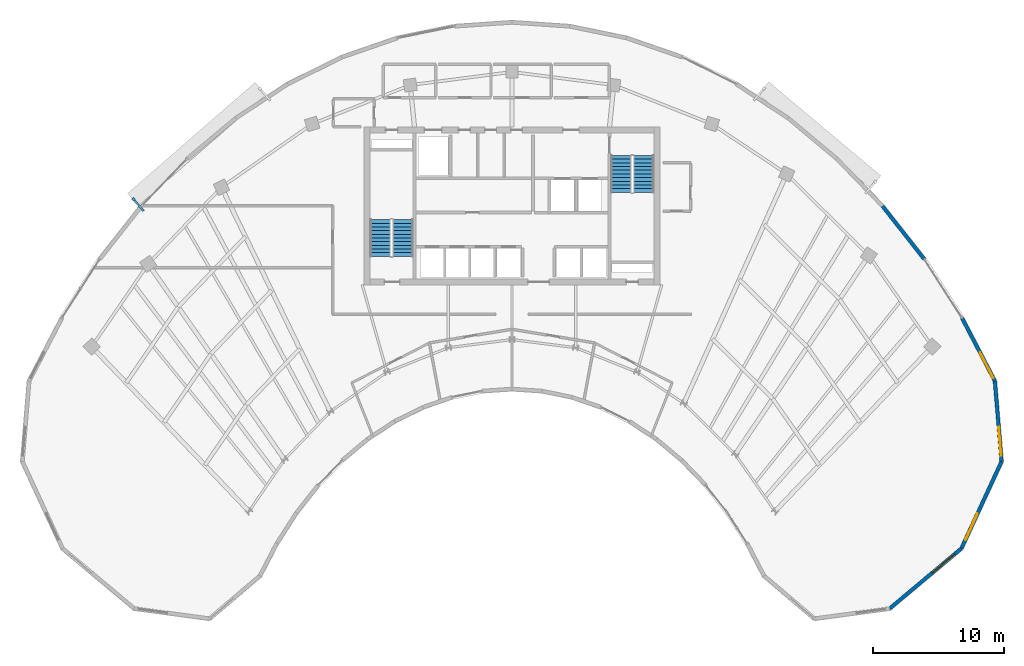
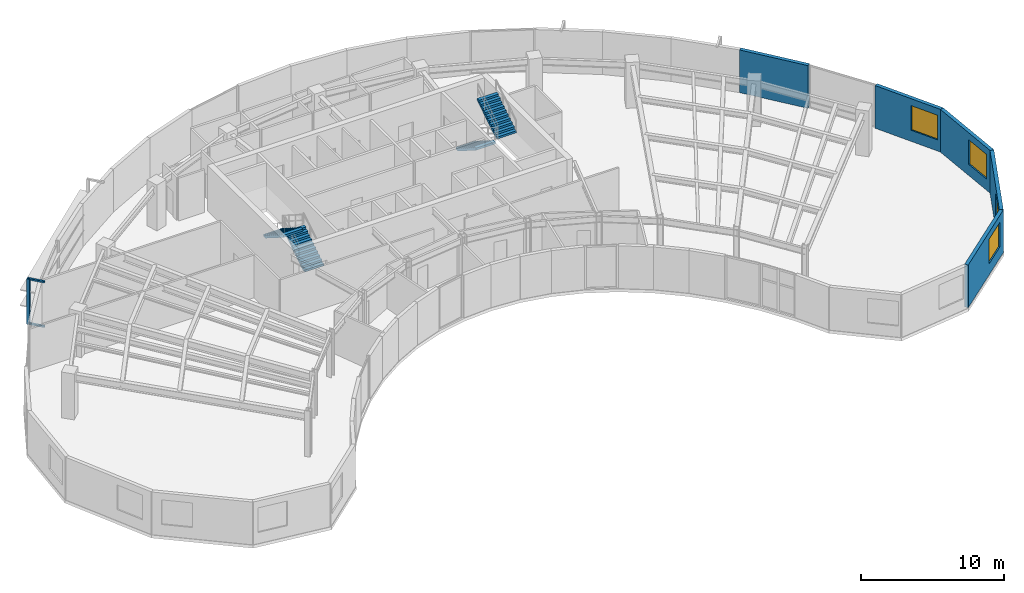
# One storey, part 11 of 14: 5 walls, 4 stair flights, 4 windows, 3 discrete accessories, 4 openings, 2 elements without a shape of their own.
"""IFC4 building model written with IfcOpenShell, lengths in metres."""

from ifc_helpers import new_model, si_unit, direction, frame, frame_2d, origin, origin_2d, place, context, subcontext, project, spatial, polyline, rectangle, outline, extrude, source, transform, mapped, material, layer, layer_set, type_object, type_shapes, element, fill, aggregate, save


model = new_model("IFC4")

# Units and contexts
model_context = context("Model", 3, precision=1e-05, world=origin(), true_north=direction((0.0, 1.0)))
body_context = subcontext(model_context, "Body", "Model", "MODEL_VIEW")
ifc_project = project(units=[si_unit("LENGTHUNIT", "METRE"), si_unit("AREAUNIT", "SQUARE_METRE"), si_unit("VOLUMEUNIT", "CUBIC_METRE"), si_unit("PLANEANGLEUNIT", "RADIAN"), si_unit("MASSUNIT", "GRAM", prefix="KILO")], contexts=[model_context])

# Site, building, storey
site_placement = place(None, origin())
site = spatial("IfcSite", under=ifc_project, at=site_placement, CompositionType="ELEMENT")
building_placement = place(site_placement, origin())
building = spatial("IfcBuilding", under=site, at=building_placement, Name="Breltana Convention Tower", CompositionType="ELEMENT")
storey_placement = place(building_placement, frame((0.0, 0.0, 211.800048828125)))
storey = spatial("IfcBuildingStorey", under=building, at=storey_placement, Name="L51", CompositionType="ELEMENT", Elevation=211.800048828125)

# Wall, opening, window
ifc_material_1 = material(Name="Limestone Buff Insulated Wall", Category="masonry")
ifc_layer = layer(ifc_material_1, 0.280029296875, Name="Limestone Buff Insulated Wall")
ifc_layer_set = layer_set([ifc_layer], Name="Limestone Buff Insulated Wall")
wall_type = type_object("IfcWallType", Name="WL-EXT-NOSE-280", PredefinedType="SOLIDWALL", material=ifc_layer_set)
shared_shape_1 = source(origin(), body_context, "Body", "SweptSolid", [
    extrude(rectangle(XDim=6.145751953125, YDim=0.280029296875, at=frame_2d((3.07275390625, 0.0))), origin(), (0.0, 0.0, 1.0), 3.639892578125),
])
wall_1_placement = place(storey_placement, frame((84.756103515625, 52.87353515625, 0.0), z_axis=(0.0, 0.0, 1.0), x_axis=(0.083301904456, -0.996524356307, 0.0)))
wall_1 = element("IfcWall", 1, at=wall_1_placement, inside=storey, type_object=wall_type, Name="L51 curved limestone nose wall E1", PredefinedType="SOLIDWALL", context=body_context, shape_type="MappedRepresentation", body=[
    mapped(shared_shape_1, transform((0.0, 0.0, 0.0), scale=1.0)),
])
opening_1_placement = place(wall_1_placement, frame((3.50927734375, 0.0, 0.949951171875)))
opening_1 = element("IfcOpeningElement", 2, at=opening_1_placement, cuts=wall_1, Name="Opening W-03", PredefinedType="OPENING", context=body_context, shape_type="SweptSolid", body=[
    extrude(rectangle(XDim=2.199951171875, YDim=2.10009765625, at=frame_2d((1.10009765625, 1.050048828125))), frame((0.0, 0.14990234375, 0.0), z_axis=(0.0, -1.0, 0.0), x_axis=(1.0, 0.0, 0.0)), (0.0, 0.0, 1.0), 0.300048828125),
])
ifc_material_2 = material(Name="Glass Low-E Insulated Window", Category="glass")
window_type = type_object("IfcWindowType", Name="WN-NOSE-2200X2100", PartitioningType="TRIPLE_PANEL_VERTICAL", PredefinedType="WINDOW", material=ifc_material_2)
shared_shape_2 = source(origin(), body_context, "Body", "SweptSolid", [
    extrude(rectangle(XDim=2.199951171875, YDim=2.10009765625, at=frame_2d((1.10009765625, 1.050048828125))), frame((0.0, 0.030029296875, 0.0), z_axis=(0.0, -1.0, 0.0), x_axis=(1.0, 0.0, 0.0)), (0.0, 0.0, 1.0), 0.06005859375),
])
type_shapes(window_type, [shared_shape_2])
window_1_placement = place(opening_1_placement, origin())
window_1 = element("IfcWindow", 3, at=window_1_placement, inside=storey, type_object=window_type, Name="L51 nose window E1", OverallHeight=2.10009765625, OverallWidth=2.199951171875, PartitioningType="TRIPLE_PANEL_VERTICAL", PredefinedType="WINDOW", context=body_context, shape_type="MappedRepresentation", body=[
    mapped(shared_shape_2, transform((0.0, 0.0, 0.0), scale=1.0)),
])
fill(opening_1, window_1)

shared_shape_3 = source(origin(), body_context, "Body", "SweptSolid", [
    extrude(rectangle(XDim=7.29150390625, YDim=0.280029296875, at=frame_2d((3.645751953125, 0.0))), origin(), (0.0, 0.0, 1.0), 3.639892578125),
])
wall_2_placement = place(storey_placement, frame((85.26806640625, 46.7490234375, 0.0), z_axis=(0.0, 0.0, 1.0), x_axis=(-0.419642001049, -0.907689699708, 0.0)))
wall_2 = element("IfcWall", 4, at=wall_2_placement, inside=storey, type_object=wall_type, Name="L51 curved limestone nose wall E2", PredefinedType="SOLIDWALL", context=body_context, shape_type="MappedRepresentation", body=[
    mapped(shared_shape_3, transform((0.0, 0.0, 0.0), scale=1.0)),
])
opening_2_placement = place(wall_2_placement, frame((4.36865234375, 0.0, 0.949951171875)))
opening_2 = element("IfcOpeningElement", 5, at=opening_2_placement, cuts=wall_2, Name="Opening W-03", PredefinedType="OPENING", context=body_context, shape_type="SweptSolid", body=[
    extrude(rectangle(XDim=2.199951171875, YDim=2.10009765625, at=frame_2d((1.10009765625, 1.050048828125))), frame((0.0, 0.14990234375, 0.0), z_axis=(0.0, -1.0, 0.0), x_axis=(1.0, 0.0, 0.0)), (0.0, 0.0, 1.0), 0.300048828125),
])
window_2_placement = place(opening_2_placement, origin())
window_2 = element("IfcWindow", 6, at=window_2_placement, inside=storey, type_object=window_type, Name="L51 nose window E2", OverallHeight=2.10009765625, OverallWidth=2.199951171875, PartitioningType="TRIPLE_PANEL_VERTICAL", PredefinedType="WINDOW", context=body_context, shape_type="MappedRepresentation", body=[
    mapped(shared_shape_2, transform((0.0, 0.0, 0.0), scale=1.0)),
])
fill(opening_2, window_2)

shared_shape_4 = source(origin(), body_context, "Body", "SweptSolid", [
    extrude(rectangle(XDim=7.11962890625, YDim=0.280029296875, at=frame_2d((3.559814453125, 0.0))), origin(), (0.0, 0.0, 1.0), 3.639892578125),
])
wall_3_placement = place(storey_placement, frame((82.208251953125, 40.130615234375, 0.0), z_axis=(0.0, 0.0, 1.0), x_axis=(-0.766709783564, -0.641993853387, 0.0)))
wall_3 = element("IfcWall", 7, at=wall_3_placement, inside=storey, type_object=wall_type, Name="L51 curved limestone nose wall E3", PredefinedType="SOLIDWALL", context=body_context, shape_type="MappedRepresentation", body=[
    mapped(shared_shape_4, transform((0.0, 0.0, 0.0), scale=1.0)),
])
opening_3_placement = place(wall_3_placement, frame((0.679931640625, 0.0, 0.949951171875)))
opening_3 = element("IfcOpeningElement", 8, at=opening_3_placement, cuts=wall_3, Name="Opening W-03", PredefinedType="OPENING", context=body_context, shape_type="SweptSolid", body=[
    extrude(rectangle(XDim=2.199951171875, YDim=2.10009765625, at=frame_2d((1.10009765625, 1.050048828125))), frame((0.0, 0.14990234375, 0.0), z_axis=(0.0, -1.0, 0.0), x_axis=(1.0, 0.0, 0.0)), (0.0, 0.0, 1.0), 0.300048828125),
])
window_3_placement = place(opening_3_placement, origin())
window_3 = element("IfcWindow", 9, at=window_3_placement, inside=storey, type_object=window_type, Name="L51 nose window E3", OverallHeight=2.10009765625, OverallWidth=2.199951171875, PartitioningType="TRIPLE_PANEL_VERTICAL", PredefinedType="WINDOW", context=body_context, shape_type="MappedRepresentation", body=[
    mapped(shared_shape_2, transform((0.0, 0.0, 0.0), scale=1.0)),
])
fill(opening_3, window_3)

shared_shape_5 = source(origin(), body_context, "Body", "SweptSolid", [
    extrude(rectangle(XDim=5.41552734375, YDim=0.280029296875, at=frame_2d((2.707763671875, 0.0))), origin(), (0.0, 0.0, 1.0), 3.639892578125),
])
wall_4_placement = place(storey_placement, frame((82.25537109375, 57.677001953125, 0.0), z_axis=(0.0, 0.0, 1.0), x_axis=(0.46177852435, -0.886995261796, 0.0)))
wall_4 = element("IfcWall", 10, at=wall_4_placement, inside=storey, type_object=wall_type, Name="L51 curved limestone nose wall E33", PredefinedType="SOLIDWALL", context=body_context, shape_type="MappedRepresentation", body=[
    mapped(shared_shape_5, transform((0.0, 0.0, 0.0), scale=1.0)),
])
opening_4_placement = place(wall_4_placement, frame((2.961669921875, 0.0, 0.949951171875)))
opening_4 = element("IfcOpeningElement", 11, at=opening_4_placement, cuts=wall_4, Name="Opening W-03", PredefinedType="OPENING", context=body_context, shape_type="SweptSolid", body=[
    extrude(rectangle(XDim=2.199951171875, YDim=2.10009765625, at=frame_2d((1.10009765625, 1.050048828125))), frame((0.0, 0.14990234375, 0.0), z_axis=(0.0, -1.0, 0.0), x_axis=(1.0, 0.0, 0.0)), (0.0, 0.0, 1.0), 0.300048828125),
])
window_4_placement = place(opening_4_placement, origin())
window_4 = element("IfcWindow", 12, at=window_4_placement, inside=storey, type_object=window_type, Name="L51 nose window E33", OverallHeight=2.10009765625, OverallWidth=2.199951171875, PartitioningType="TRIPLE_PANEL_VERTICAL", PredefinedType="WINDOW", context=body_context, shape_type="MappedRepresentation", body=[
    mapped(shared_shape_2, transform((0.0, 0.0, 0.0), scale=1.0)),
])
fill(opening_4, window_4)

# Wall
shared_shape_6 = source(origin(), body_context, "Body", "SweptSolid", [
    extrude(rectangle(XDim=5.153076171875, YDim=0.280029296875, at=frame_2d((2.57666015625, 0.0))), origin(), (0.0, 0.0, 1.0), 3.639892578125),
])
wall_5_placement = place(storey_placement, frame((76.205322265625, 66.190185546875, 0.0), z_axis=(0.0, 0.0, 1.0), x_axis=(0.618179283891, -0.786037132054, 0.0)))
element("IfcWall", 13, at=wall_5_placement, inside=storey, type_object=wall_type, Name="L51 curved limestone nose wall E32", PredefinedType="SOLIDWALL", context=body_context, shape_type="MappedRepresentation", body=[
    mapped(shared_shape_6, transform((0.0, 0.0, 0.0), scale=1.0)),
])

# Stair, stair flights
ifc_material_3 = material(Name="Concrete C40/50", Category="concrete")
stair_type = type_object("IfcStairType", Name="ST-DOG-1560-R177", PredefinedType="HALF_TURN_STAIR", material=ifc_material_3)
stair_1_placement = place(storey_placement, origin())
stair_1 = element("IfcStair", 14, at=stair_1_placement, inside=storey, type_object=stair_type, Name="L51 Protected Core Exit Stair ST-1", PredefinedType="HALF_TURN_STAIR")
stair_flight_type = type_object("IfcStairFlightType", Name="STF-DOG-1560-N11-R177", PredefinedType="STRAIGHT", material=ifc_material_3)
stair_flight_1_placement = place(storey_placement, frame((39.68994140625, 62.360107421875, 0.0), z_axis=(0.0, 0.0, 1.0), x_axis=(0.0, 1.0, 0.0)))
stair_flight_1 = element("IfcStairFlight", 15, at=stair_flight_1_placement, type_object=stair_flight_type, Name="ST-1 flight 1", NumberOfRisers=11, NumberOfTreads=10, PredefinedType="STRAIGHT", RiserHeight=0.177272727, TreadLength=0.28, context=body_context, shape_type="SweptSolid", body=[
    extrude(outline(polyline([(0.0, 0.0), (0.0, 0.17724609375), (0.280029296875, 0.17724609375), (0.280029296875, 0.3544921875), (0.56005859375, 0.3544921875), (0.56005859375, 0.53173828125), (0.840087890625, 0.53173828125), (0.840087890625, 0.708984375), (1.1201171875, 0.708984375), (1.1201171875, 0.886474609375), (1.39990234375, 0.886474609375), (1.39990234375, 1.063720703125), (1.679931640625, 1.063720703125), (1.679931640625, 1.240966796875), (1.9599609375, 1.240966796875), (1.9599609375, 1.418212890625), (2.239990234375, 1.418212890625), (2.239990234375, 1.595458984375), (2.52001953125, 1.595458984375), (2.52001953125, 1.772705078125), (2.800048828125, 1.772705078125), (2.800048828125, 1.949951171875), (2.800048828125, 1.59521484375), (0.2802734375, 0.0), (0.0, 0.0)])), frame((0.0, 0.780029296875, 0.0), z_axis=(0.0, -1.0, 0.0), x_axis=(1.0, 0.0, 0.0)), (0.0, 0.0, 1.0), 1.56005859375),
])
stair_flight_2_placement = place(storey_placement, frame((37.97998046875, 65.159912109375, 1.949951171875), z_axis=(0.0, 0.0, 1.0), x_axis=(0.0, -1.0, 0.0)))
stair_flight_2 = element("IfcStairFlight", 16, at=stair_flight_2_placement, type_object=stair_flight_type, Name="ST-1 flight 2", NumberOfRisers=11, NumberOfTreads=10, PredefinedType="STRAIGHT", RiserHeight=0.177272727, TreadLength=0.28, context=body_context, shape_type="SweptSolid", body=[
    extrude(outline(polyline([(0.0, 0.0), (0.0, 0.17724609375), (0.280029296875, 0.17724609375), (0.280029296875, 0.3544921875), (0.56005859375, 0.3544921875), (0.56005859375, 0.53173828125), (0.840087890625, 0.53173828125), (0.840087890625, 0.708984375), (1.1201171875, 0.708984375), (1.1201171875, 0.886474609375), (1.39990234375, 0.886474609375), (1.39990234375, 1.063720703125), (1.679931640625, 1.063720703125), (1.679931640625, 1.240966796875), (1.9599609375, 1.240966796875), (1.9599609375, 1.418212890625), (2.239990234375, 1.418212890625), (2.239990234375, 1.595458984375), (2.52001953125, 1.595458984375), (2.52001953125, 1.772705078125), (2.800048828125, 1.772705078125), (2.800048828125, 1.949951171875), (2.800048828125, 1.59521484375), (0.2802734375, 0.0), (0.0, 0.0)])), frame((0.0, 0.780029296875, 0.0), z_axis=(0.0, -1.0, 0.0), x_axis=(1.0, 0.0, 0.0)), (0.0, 0.0, 1.0), 1.56005859375),
])
aggregate(stair_1, [stair_flight_1, stair_flight_2])

stair_2_placement = place(storey_placement, origin())
stair_2 = element("IfcStair", 17, at=stair_2_placement, inside=storey, type_object=stair_type, Name="L51 Protected Core Exit Stair ST-2", PredefinedType="HALF_TURN_STAIR")
stair_flight_3_placement = place(storey_placement, frame((56.31005859375, 70.0400390625, 0.0), z_axis=(0.0, 0.0, 1.0), x_axis=(0.0, -1.0, 0.0)))
stair_flight_3 = element("IfcStairFlight", 18, at=stair_flight_3_placement, type_object=stair_flight_type, Name="ST-2 flight 1", NumberOfRisers=11, NumberOfTreads=10, PredefinedType="STRAIGHT", RiserHeight=0.177272727, TreadLength=0.28, context=body_context, shape_type="SweptSolid", body=[
    extrude(outline(polyline([(0.0, 0.0), (0.0, 0.17724609375), (0.280029296875, 0.17724609375), (0.280029296875, 0.3544921875), (0.56005859375, 0.3544921875), (0.56005859375, 0.53173828125), (0.840087890625, 0.53173828125), (0.840087890625, 0.708984375), (1.1201171875, 0.708984375), (1.1201171875, 0.886474609375), (1.39990234375, 0.886474609375), (1.39990234375, 1.063720703125), (1.679931640625, 1.063720703125), (1.679931640625, 1.240966796875), (1.9599609375, 1.240966796875), (1.9599609375, 1.418212890625), (2.239990234375, 1.418212890625), (2.239990234375, 1.595458984375), (2.52001953125, 1.595458984375), (2.52001953125, 1.772705078125), (2.800048828125, 1.772705078125), (2.800048828125, 1.949951171875), (2.800048828125, 1.59521484375), (0.2802734375, 0.0), (0.0, 0.0)])), frame((0.0, 0.780029296875, 0.0), z_axis=(0.0, -1.0, 0.0), x_axis=(1.0, 0.0, 0.0)), (0.0, 0.0, 1.0), 1.56005859375),
])
stair_flight_4_placement = place(storey_placement, frame((58.02001953125, 67.239990234375, 1.949951171875), z_axis=(0.0, 0.0, 1.0), x_axis=(0.0, 1.0, 0.0)))
stair_flight_4 = element("IfcStairFlight", 19, at=stair_flight_4_placement, type_object=stair_flight_type, Name="ST-2 flight 2", NumberOfRisers=11, NumberOfTreads=10, PredefinedType="STRAIGHT", RiserHeight=0.177272727, TreadLength=0.28, context=body_context, shape_type="SweptSolid", body=[
    extrude(outline(polyline([(0.0, 0.0), (0.0, 0.17724609375), (0.280029296875, 0.17724609375), (0.280029296875, 0.3544921875), (0.56005859375, 0.3544921875), (0.56005859375, 0.53173828125), (0.840087890625, 0.53173828125), (0.840087890625, 0.708984375), (1.1201171875, 0.708984375), (1.1201171875, 0.886474609375), (1.39990234375, 0.886474609375), (1.39990234375, 1.063720703125), (1.679931640625, 1.063720703125), (1.679931640625, 1.240966796875), (1.9599609375, 1.240966796875), (1.9599609375, 1.418212890625), (2.239990234375, 1.418212890625), (2.239990234375, 1.595458984375), (2.52001953125, 1.595458984375), (2.52001953125, 1.772705078125), (2.800048828125, 1.772705078125), (2.800048828125, 1.949951171875), (2.800048828125, 1.59521484375), (0.2802734375, 0.0), (0.0, 0.0)])), frame((0.0, 0.780029296875, 0.0), z_axis=(0.0, -1.0, 0.0), x_axis=(1.0, 0.0, 0.0)), (0.0, 0.0, 1.0), 1.56005859375),
])
aggregate(stair_2, [stair_flight_3, stair_flight_4])

# Discrete accessories
ifc_material_4 = material(Name="Steel S355", Category="steel")
discrete_accessory_type_1 = type_object("IfcDiscreteAccessoryType", Name="ACC-DSF-BRACKET-150", PredefinedType="BRACKET", material=ifc_material_4)
shared_shape_7 = source(origin(), body_context, "Body", "SweptSolid", [
    extrude(rectangle(XDim=1.239990234375, YDim=0.14990234375, at=origin_2d()), origin(), (0.0, 0.0, 1.0), 0.139892578125),
])
type_shapes(discrete_accessory_type_1, [shared_shape_7])
for number, where, z_axis, x_axis, name in (
    (20, (19.545166015625, 66.295166015625, -0.16015625), (0.0, 0.0, 1.0), (-0.65645174674, 0.754368016423, 0.0), "L51 double-skin slab stand-off bracket 1.1B"),
    (21, (19.545166015625, 66.295166015625, 3.64013671875), (0.0, 0.0, 1.0), (-0.65645174674, 0.754368016423, 0.0), "L51 double-skin slab stand-off bracket 1.1T"),
):
    element("IfcDiscreteAccessory", number, at=place(storey_placement, frame(where, z_axis=z_axis, x_axis=x_axis)), inside=storey, type_object=discrete_accessory_type_1, Name=name, PredefinedType="BRACKET", context=body_context, shape_type="MappedRepresentation", body=[
        mapped(shared_shape_7, transform((0.0, 0.0, 0.0), scale=1.0)),
    ])
discrete_accessory_type_2 = type_object("IfcDiscreteAccessoryType", Name="ACC-DSF-CARRIER-150", PredefinedType="BRACKET", material=ifc_material_4)
shared_shape_8 = source(origin(), body_context, "Body", "SweptSolid", [
    extrude(rectangle(XDim=0.219970703125, YDim=0.219970703125, at=origin_2d()), origin(), (0.0, 0.0, 1.0), 3.860107421875),
])
discrete_accessory_placement = place(storey_placement, frame((19.177490234375, 66.7177734375, -0.1201171875), z_axis=(0.0, 0.0, 1.0), x_axis=(-0.65645174674, 0.754368016423, 0.0)))
element("IfcDiscreteAccessory", 22, at=discrete_accessory_placement, inside=storey, type_object=discrete_accessory_type_2, Name="L51 double-skin outer vertical carrier 1.1", PredefinedType="BRACKET", context=body_context, shape_type="MappedRepresentation", body=[
    mapped(shared_shape_8, transform((0.0, 0.0, 0.0), scale=1.0)),
])

save(model, "model.ifc")
